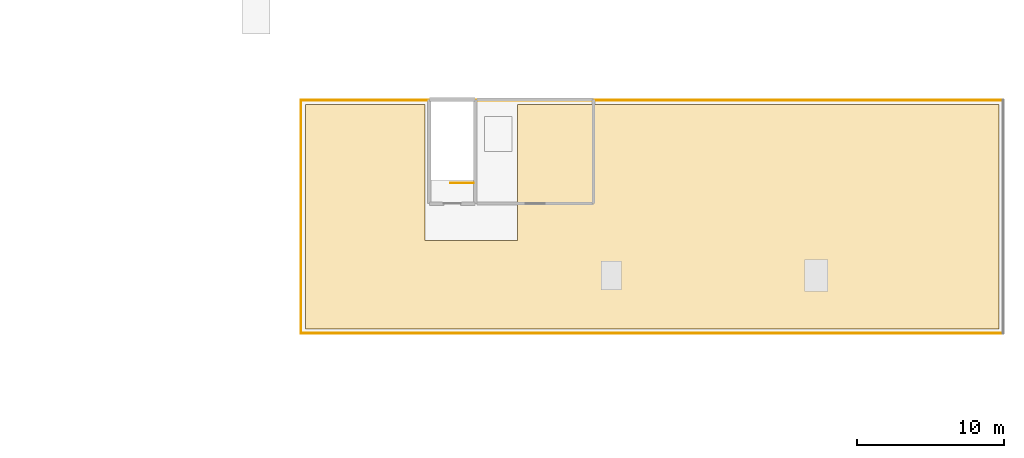
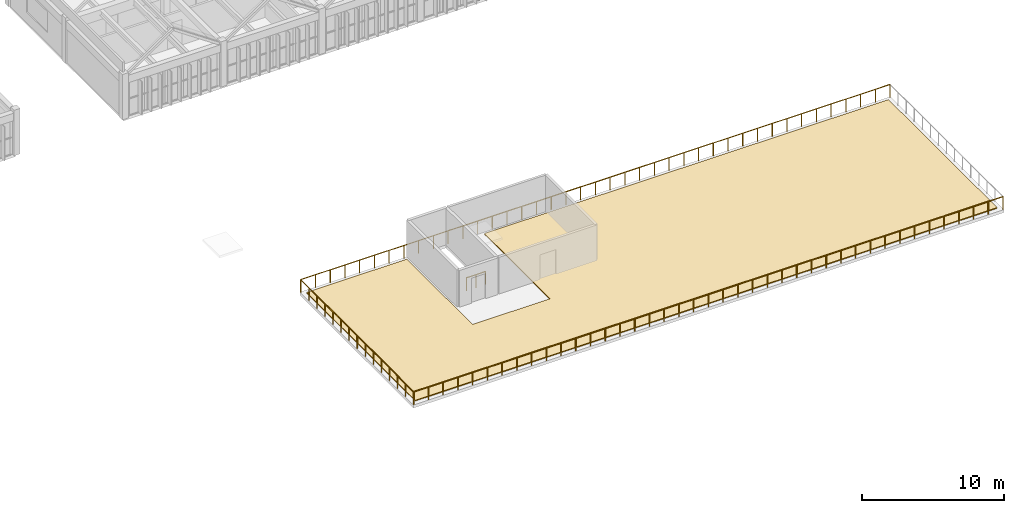
# One storey, part 27 of 31: 4 railings, 1 covering.
"""IFC4 building model written with IfcOpenShell, lengths in metres."""

from ifc_helpers import new_model, si_unit, direction, frame, origin, origin_2d, place, context, subcontext, project, spatial, polyline, circle, outline, extrude, material, layer, layer_set, type_object, element, save


model = new_model("IFC4")

# Units and contexts
model_context = context("Model", 3, precision=1e-05, world=origin(), true_north=direction((0.0, 1.0)))
body_context = subcontext(model_context, "Body", "Model", "MODEL_VIEW")
ifc_project = project(units=[si_unit("LENGTHUNIT", "METRE"), si_unit("AREAUNIT", "SQUARE_METRE"), si_unit("VOLUMEUNIT", "CUBIC_METRE"), si_unit("PLANEANGLEUNIT", "RADIAN"), si_unit("MASSUNIT", "GRAM", prefix="KILO")], contexts=[model_context])

# Site, building, storey
site_placement = place(None, origin())
site = spatial("IfcSite", under=ifc_project, at=site_placement, CompositionType="ELEMENT")
building_placement = place(site_placement, origin())
building = spatial("IfcBuilding", under=site, at=building_placement, Name="Tlaxcora Railside Police Headquarters", CompositionType="ELEMENT")
storey_placement = place(building_placement, frame((0.0, 0.0, 18.0)))
storey = spatial("IfcBuildingStorey", under=building, at=storey_placement, Name="L04", CompositionType="ELEMENT", Elevation=18.0)

# Covering
ifc_material_1 = material(Name="Modified EPDM waterproofing and volcanic-ash protection membrane")
ifc_layer = layer(ifc_material_1, 0.080078125, Name="Modified EPDM waterproofing and volcanic-ash protection membrane")
ifc_layer_set = layer_set([ifc_layer], Name="Modified EPDM waterproofing and volcanic-ash protection membrane")
covering_type = type_object("IfcCoveringType", Name="Planted Roof Garden Waterproofing RF-01", PredefinedType="ROOFING", material=ifc_layer_set)
covering_placement = place(storey_placement, origin())
element("IfcCovering", 1, at=covering_placement, inside=storey, type_object=covering_type, Name="TERR-V7-L04-RG planted waterproofing layer", PredefinedType="ROOFING", context=body_context, shape_type="SweptSolid", body=[
    extrude(outline(polyline([(150.449951171875, 36.35009765625), (103.14990234375, 36.35009765625), (103.14990234375, 51.64990234375), (111.300048828125, 51.64990234375), (111.300048828125, 42.39990234375), (117.60009765625, 42.39990234375), (117.60009765625, 51.64990234375), (150.449951171875, 51.64990234375), (150.449951171875, 36.35009765625)])), origin(), (0.0, 0.0, 1.0), 0.080078125),
])

# Railings
ifc_material_2 = material(Name="Steel ASTM A992 Grade 50", Category="steel")
railing_type_1 = type_object("IfcRailingType", Name="Stair Well Guard Balustrade GR-02", PredefinedType="BALUSTRADE", material=ifc_material_2)
railing_1_placement = place(storey_placement, frame((114.610107421875, 46.31005859375, 0.0)))
element("IfcRailing", 2, at=railing_1_placement, inside=storey, type_object=railing_type_1, Name="L04 ST5 top well guard 1", PredefinedType="BALUSTRADE", context=body_context, shape_type="SweptSolid", body=[
    extrude(circle(Radius=0.02392578125, at=origin_2d()), frame((0.0, 0.0, 1.09619140625), z_axis=(-1.0, 0.0, 0.0), x_axis=(0.0, -1.0, 0.0)), (0.0, 0.0, 1.0), 1.550048828125),
    extrude(circle(Radius=0.02099609375, at=origin_2d()), origin(), (0.0, 0.0, 1.0), 1.072021484375),
    extrude(circle(Radius=0.02099609375, at=origin_2d()), frame((-0.77490234375, 0.0, 0.0)), (0.0, 0.0, 1.0), 1.072021484375),
    extrude(circle(Radius=0.02099609375, at=origin_2d()), frame((-1.550048828125, 0.0, 0.0)), (0.0, 0.0, 1.0), 1.072021484375),
])
railing_type_2 = type_object("IfcRailingType", Name="Terrace Perimeter Guard Balustrade GR-01", PredefinedType="BALUSTRADE", material=ifc_material_2)
railing_2_placement = place(storey_placement, frame((102.85009765625, 36.050048828125, 0.0)))
element("IfcRailing", 3, at=railing_2_placement, inside=storey, type_object=railing_type_2, Name="TERR-V7-L04-RG perimeter guard 1", PredefinedType="BALUSTRADE", context=body_context, shape_type="SweptSolid", body=[
    extrude(circle(Radius=0.02392578125, at=origin_2d()), frame((0.0, 0.0, 1.09619140625), z_axis=(1.0, 0.0, 0.0), x_axis=(0.0, 1.0, 0.0)), (0.0, 0.0, 1.0), 47.89990234375),
    extrude(circle(Radius=0.02099609375, at=origin_2d()), origin(), (0.0, 0.0, 1.0), 1.072021484375),
    extrude(circle(Radius=0.02099609375, at=origin_2d()), frame((1.197509765625, 0.0, 0.0)), (0.0, 0.0, 1.0), 1.072021484375),
    extrude(circle(Radius=0.02099609375, at=origin_2d()), frame((2.39501953125, 0.0, 0.0)), (0.0, 0.0, 1.0), 1.072021484375),
    extrude(circle(Radius=0.02099609375, at=origin_2d()), frame((3.592529296875, 0.0, 0.0)), (0.0, 0.0, 1.0), 1.072021484375),
    extrude(circle(Radius=0.02099609375, at=origin_2d()), frame((4.7900390625, 0.0, 0.0)), (0.0, 0.0, 1.0), 1.072021484375),
    extrude(circle(Radius=0.02099609375, at=origin_2d()), frame((5.987548828125, 0.0, 0.0)), (0.0, 0.0, 1.0), 1.072021484375),
    extrude(circle(Radius=0.02099609375, at=origin_2d()), frame((7.18505859375, 0.0, 0.0)), (0.0, 0.0, 1.0), 1.072021484375),
    extrude(circle(Radius=0.02099609375, at=origin_2d()), frame((8.382568359375, 0.0, 0.0)), (0.0, 0.0, 1.0), 1.072021484375),
    extrude(circle(Radius=0.02099609375, at=origin_2d()), frame((9.580078125, 0.0, 0.0)), (0.0, 0.0, 1.0), 1.072021484375),
    extrude(circle(Radius=0.02099609375, at=origin_2d()), frame((10.777587890625, 0.0, 0.0)), (0.0, 0.0, 1.0), 1.072021484375),
    extrude(circle(Radius=0.02099609375, at=origin_2d()), frame((11.97509765625, 0.0, 0.0)), (0.0, 0.0, 1.0), 1.072021484375),
    extrude(circle(Radius=0.02099609375, at=origin_2d()), frame((13.17236328125, 0.0, 0.0)), (0.0, 0.0, 1.0), 1.072021484375),
    extrude(circle(Radius=0.02099609375, at=origin_2d()), frame((14.369873046875, 0.0, 0.0)), (0.0, 0.0, 1.0), 1.072021484375),
    extrude(circle(Radius=0.02099609375, at=origin_2d()), frame((15.5673828125, 0.0, 0.0)), (0.0, 0.0, 1.0), 1.072021484375),
    extrude(circle(Radius=0.02099609375, at=origin_2d()), frame((16.764892578125, 0.0, 0.0)), (0.0, 0.0, 1.0), 1.072021484375),
    extrude(circle(Radius=0.02099609375, at=origin_2d()), frame((17.96240234375, 0.0, 0.0)), (0.0, 0.0, 1.0), 1.072021484375),
    extrude(circle(Radius=0.02099609375, at=origin_2d()), frame((19.159912109375, 0.0, 0.0)), (0.0, 0.0, 1.0), 1.072021484375),
    extrude(circle(Radius=0.02099609375, at=origin_2d()), frame((20.357421875, 0.0, 0.0)), (0.0, 0.0, 1.0), 1.072021484375),
    extrude(circle(Radius=0.02099609375, at=origin_2d()), frame((21.554931640625, 0.0, 0.0)), (0.0, 0.0, 1.0), 1.072021484375),
    extrude(circle(Radius=0.02099609375, at=origin_2d()), frame((22.75244140625, 0.0, 0.0)), (0.0, 0.0, 1.0), 1.072021484375),
    extrude(circle(Radius=0.02099609375, at=origin_2d()), frame((23.949951171875, 0.0, 0.0)), (0.0, 0.0, 1.0), 1.072021484375),
    extrude(circle(Radius=0.02099609375, at=origin_2d()), frame((25.1474609375, 0.0, 0.0)), (0.0, 0.0, 1.0), 1.072021484375),
    extrude(circle(Radius=0.02099609375, at=origin_2d()), frame((26.344970703125, 0.0, 0.0)), (0.0, 0.0, 1.0), 1.072021484375),
    extrude(circle(Radius=0.02099609375, at=origin_2d()), frame((27.54248046875, 0.0, 0.0)), (0.0, 0.0, 1.0), 1.072021484375),
    extrude(circle(Radius=0.02099609375, at=origin_2d()), frame((28.739990234375, 0.0, 0.0)), (0.0, 0.0, 1.0), 1.072021484375),
    extrude(circle(Radius=0.02099609375, at=origin_2d()), frame((29.9375, 0.0, 0.0)), (0.0, 0.0, 1.0), 1.072021484375),
    extrude(circle(Radius=0.02099609375, at=origin_2d()), frame((31.135009765625, 0.0, 0.0)), (0.0, 0.0, 1.0), 1.072021484375),
    extrude(circle(Radius=0.02099609375, at=origin_2d()), frame((32.33251953125, 0.0, 0.0)), (0.0, 0.0, 1.0), 1.072021484375),
    extrude(circle(Radius=0.02099609375, at=origin_2d()), frame((33.530029296875, 0.0, 0.0)), (0.0, 0.0, 1.0), 1.072021484375),
    extrude(circle(Radius=0.02099609375, at=origin_2d()), frame((34.7275390625, 0.0, 0.0)), (0.0, 0.0, 1.0), 1.072021484375),
    extrude(circle(Radius=0.02099609375, at=origin_2d()), frame((35.9248046875, 0.0, 0.0)), (0.0, 0.0, 1.0), 1.072021484375),
    extrude(circle(Radius=0.02099609375, at=origin_2d()), frame((37.122314453125, 0.0, 0.0)), (0.0, 0.0, 1.0), 1.072021484375),
    extrude(circle(Radius=0.02099609375, at=origin_2d()), frame((38.31982421875, 0.0, 0.0)), (0.0, 0.0, 1.0), 1.072021484375),
    extrude(circle(Radius=0.02099609375, at=origin_2d()), frame((39.517333984375, 0.0, 0.0)), (0.0, 0.0, 1.0), 1.072021484375),
    extrude(circle(Radius=0.02099609375, at=origin_2d()), frame((40.71484375, 0.0, 0.0)), (0.0, 0.0, 1.0), 1.072021484375),
    extrude(circle(Radius=0.02099609375, at=origin_2d()), frame((41.912353515625, 0.0, 0.0)), (0.0, 0.0, 1.0), 1.072021484375),
    extrude(circle(Radius=0.02099609375, at=origin_2d()), frame((43.10986328125, 0.0, 0.0)), (0.0, 0.0, 1.0), 1.072021484375),
    extrude(circle(Radius=0.02099609375, at=origin_2d()), frame((44.307373046875, 0.0, 0.0)), (0.0, 0.0, 1.0), 1.072021484375),
    extrude(circle(Radius=0.02099609375, at=origin_2d()), frame((45.5048828125, 0.0, 0.0)), (0.0, 0.0, 1.0), 1.072021484375),
    extrude(circle(Radius=0.02099609375, at=origin_2d()), frame((46.702392578125, 0.0, 0.0)), (0.0, 0.0, 1.0), 1.072021484375),
    extrude(circle(Radius=0.02099609375, at=origin_2d()), frame((47.89990234375, 0.0, 0.0)), (0.0, 0.0, 1.0), 1.072021484375),
])
railing_3_placement = place(storey_placement, frame((150.75, 51.949951171875, 0.0)))
element("IfcRailing", 4, at=railing_3_placement, inside=storey, type_object=railing_type_2, Name="TERR-V7-L04-RG perimeter guard 3", PredefinedType="BALUSTRADE", context=body_context, shape_type="SweptSolid", body=[
    extrude(circle(Radius=0.02392578125, at=origin_2d()), frame((0.0, 0.0, 1.09619140625), z_axis=(-1.0, 0.0, 0.0), x_axis=(0.0, -1.0, 0.0)), (0.0, 0.0, 1.0), 47.89990234375),
    extrude(circle(Radius=0.02099609375, at=origin_2d()), origin(), (0.0, 0.0, 1.0), 1.072021484375),
    extrude(circle(Radius=0.02099609375, at=origin_2d()), frame((-1.197509765625, 0.0, 0.0)), (0.0, 0.0, 1.0), 1.072021484375),
    extrude(circle(Radius=0.02099609375, at=origin_2d()), frame((-2.39501953125, 0.0, 0.0)), (0.0, 0.0, 1.0), 1.072021484375),
    extrude(circle(Radius=0.02099609375, at=origin_2d()), frame((-3.592529296875, 0.0, 0.0)), (0.0, 0.0, 1.0), 1.072021484375),
    extrude(circle(Radius=0.02099609375, at=origin_2d()), frame((-4.7900390625, 0.0, 0.0)), (0.0, 0.0, 1.0), 1.072021484375),
    extrude(circle(Radius=0.02099609375, at=origin_2d()), frame((-5.987548828125, 0.0, 0.0)), (0.0, 0.0, 1.0), 1.072021484375),
    extrude(circle(Radius=0.02099609375, at=origin_2d()), frame((-7.18505859375, 0.0, 0.0)), (0.0, 0.0, 1.0), 1.072021484375),
    extrude(circle(Radius=0.02099609375, at=origin_2d()), frame((-8.382568359375, 0.0, 0.0)), (0.0, 0.0, 1.0), 1.072021484375),
    extrude(circle(Radius=0.02099609375, at=origin_2d()), frame((-9.580078125, 0.0, 0.0)), (0.0, 0.0, 1.0), 1.072021484375),
    extrude(circle(Radius=0.02099609375, at=origin_2d()), frame((-10.777587890625, 0.0, 0.0)), (0.0, 0.0, 1.0), 1.072021484375),
    extrude(circle(Radius=0.02099609375, at=origin_2d()), frame((-11.97509765625, 0.0, 0.0)), (0.0, 0.0, 1.0), 1.072021484375),
    extrude(circle(Radius=0.02099609375, at=origin_2d()), frame((-13.17236328125, 0.0, 0.0)), (0.0, 0.0, 1.0), 1.072021484375),
    extrude(circle(Radius=0.02099609375, at=origin_2d()), frame((-14.369873046875, 0.0, 0.0)), (0.0, 0.0, 1.0), 1.072021484375),
    extrude(circle(Radius=0.02099609375, at=origin_2d()), frame((-15.5673828125, 0.0, 0.0)), (0.0, 0.0, 1.0), 1.072021484375),
    extrude(circle(Radius=0.02099609375, at=origin_2d()), frame((-16.764892578125, 0.0, 0.0)), (0.0, 0.0, 1.0), 1.072021484375),
    extrude(circle(Radius=0.02099609375, at=origin_2d()), frame((-17.96240234375, 0.0, 0.0)), (0.0, 0.0, 1.0), 1.072021484375),
    extrude(circle(Radius=0.02099609375, at=origin_2d()), frame((-19.159912109375, 0.0, 0.0)), (0.0, 0.0, 1.0), 1.072021484375),
    extrude(circle(Radius=0.02099609375, at=origin_2d()), frame((-20.357421875, 0.0, 0.0)), (0.0, 0.0, 1.0), 1.072021484375),
    extrude(circle(Radius=0.02099609375, at=origin_2d()), frame((-21.554931640625, 0.0, 0.0)), (0.0, 0.0, 1.0), 1.072021484375),
    extrude(circle(Radius=0.02099609375, at=origin_2d()), frame((-22.75244140625, 0.0, 0.0)), (0.0, 0.0, 1.0), 1.072021484375),
    extrude(circle(Radius=0.02099609375, at=origin_2d()), frame((-23.949951171875, 0.0, 0.0)), (0.0, 0.0, 1.0), 1.072021484375),
    extrude(circle(Radius=0.02099609375, at=origin_2d()), frame((-25.1474609375, 0.0, 0.0)), (0.0, 0.0, 1.0), 1.072021484375),
    extrude(circle(Radius=0.02099609375, at=origin_2d()), frame((-26.344970703125, 0.0, 0.0)), (0.0, 0.0, 1.0), 1.072021484375),
    extrude(circle(Radius=0.02099609375, at=origin_2d()), frame((-27.54248046875, 0.0, 0.0)), (0.0, 0.0, 1.0), 1.072021484375),
    extrude(circle(Radius=0.02099609375, at=origin_2d()), frame((-28.739990234375, 0.0, 0.0)), (0.0, 0.0, 1.0), 1.072021484375),
    extrude(circle(Radius=0.02099609375, at=origin_2d()), frame((-29.9375, 0.0, 0.0)), (0.0, 0.0, 1.0), 1.072021484375),
    extrude(circle(Radius=0.02099609375, at=origin_2d()), frame((-31.135009765625, 0.0, 0.0)), (0.0, 0.0, 1.0), 1.072021484375),
    extrude(circle(Radius=0.02099609375, at=origin_2d()), frame((-32.33251953125, 0.0, 0.0)), (0.0, 0.0, 1.0), 1.072021484375),
    extrude(circle(Radius=0.02099609375, at=origin_2d()), frame((-33.530029296875, 0.0, 0.0)), (0.0, 0.0, 1.0), 1.072021484375),
    extrude(circle(Radius=0.02099609375, at=origin_2d()), frame((-34.7275390625, 0.0, 0.0)), (0.0, 0.0, 1.0), 1.072021484375),
    extrude(circle(Radius=0.02099609375, at=origin_2d()), frame((-35.9248046875, 0.0, 0.0)), (0.0, 0.0, 1.0), 1.072021484375),
    extrude(circle(Radius=0.02099609375, at=origin_2d()), frame((-37.122314453125, 0.0, 0.0)), (0.0, 0.0, 1.0), 1.072021484375),
    extrude(circle(Radius=0.02099609375, at=origin_2d()), frame((-38.31982421875, 0.0, 0.0)), (0.0, 0.0, 1.0), 1.072021484375),
    extrude(circle(Radius=0.02099609375, at=origin_2d()), frame((-39.517333984375, 0.0, 0.0)), (0.0, 0.0, 1.0), 1.072021484375),
    extrude(circle(Radius=0.02099609375, at=origin_2d()), frame((-40.71484375, 0.0, 0.0)), (0.0, 0.0, 1.0), 1.072021484375),
    extrude(circle(Radius=0.02099609375, at=origin_2d()), frame((-41.912353515625, 0.0, 0.0)), (0.0, 0.0, 1.0), 1.072021484375),
    extrude(circle(Radius=0.02099609375, at=origin_2d()), frame((-43.10986328125, 0.0, 0.0)), (0.0, 0.0, 1.0), 1.072021484375),
    extrude(circle(Radius=0.02099609375, at=origin_2d()), frame((-44.307373046875, 0.0, 0.0)), (0.0, 0.0, 1.0), 1.072021484375),
    extrude(circle(Radius=0.02099609375, at=origin_2d()), frame((-45.5048828125, 0.0, 0.0)), (0.0, 0.0, 1.0), 1.072021484375),
    extrude(circle(Radius=0.02099609375, at=origin_2d()), frame((-46.702392578125, 0.0, 0.0)), (0.0, 0.0, 1.0), 1.072021484375),
    extrude(circle(Radius=0.02099609375, at=origin_2d()), frame((-47.89990234375, 0.0, 0.0)), (0.0, 0.0, 1.0), 1.072021484375),
])
railing_4_placement = place(storey_placement, frame((102.85009765625, 51.949951171875, 0.0)))
element("IfcRailing", 5, at=railing_4_placement, inside=storey, type_object=railing_type_2, Name="TERR-V7-L04-RG perimeter guard 4", PredefinedType="BALUSTRADE", context=body_context, shape_type="SweptSolid", body=[
    extrude(circle(Radius=0.02392578125, at=origin_2d()), frame((0.0, 0.0, 1.09619140625), z_axis=(0.0, -1.0, 0.0), x_axis=(1.0, 0.0, 0.0)), (0.0, 0.0, 1.0), 15.89990234375),
    extrude(circle(Radius=0.02099609375, at=origin_2d()), origin(), (0.0, 0.0, 1.0), 1.072021484375),
    extrude(circle(Radius=0.02099609375, at=origin_2d()), frame((0.0, -1.1357421875, 0.0)), (0.0, 0.0, 1.0), 1.072021484375),
    extrude(circle(Radius=0.02099609375, at=origin_2d()), frame((0.0, -2.271484375, 0.0)), (0.0, 0.0, 1.0), 1.072021484375),
    extrude(circle(Radius=0.02099609375, at=origin_2d()), frame((0.0, -3.4072265625, 0.0)), (0.0, 0.0, 1.0), 1.072021484375),
    extrude(circle(Radius=0.02099609375, at=origin_2d()), frame((0.0, -4.542724609375, 0.0)), (0.0, 0.0, 1.0), 1.072021484375),
    extrude(circle(Radius=0.02099609375, at=origin_2d()), frame((0.0, -5.678466796875, 0.0)), (0.0, 0.0, 1.0), 1.072021484375),
    extrude(circle(Radius=0.02099609375, at=origin_2d()), frame((0.0, -6.814208984375, 0.0)), (0.0, 0.0, 1.0), 1.072021484375),
    extrude(circle(Radius=0.02099609375, at=origin_2d()), frame((0.0, -7.949951171875, 0.0)), (0.0, 0.0, 1.0), 1.072021484375),
    extrude(circle(Radius=0.02099609375, at=origin_2d()), frame((0.0, -9.085693359375, 0.0)), (0.0, 0.0, 1.0), 1.072021484375),
    extrude(circle(Radius=0.02099609375, at=origin_2d()), frame((0.0, -10.221435546875, 0.0)), (0.0, 0.0, 1.0), 1.072021484375),
    extrude(circle(Radius=0.02099609375, at=origin_2d()), frame((0.0, -11.357177734375, 0.0)), (0.0, 0.0, 1.0), 1.072021484375),
    extrude(circle(Radius=0.02099609375, at=origin_2d()), frame((0.0, -12.49267578125, 0.0)), (0.0, 0.0, 1.0), 1.072021484375),
    extrude(circle(Radius=0.02099609375, at=origin_2d()), frame((0.0, -13.62841796875, 0.0)), (0.0, 0.0, 1.0), 1.072021484375),
    extrude(circle(Radius=0.02099609375, at=origin_2d()), frame((0.0, -14.76416015625, 0.0)), (0.0, 0.0, 1.0), 1.072021484375),
    extrude(circle(Radius=0.02099609375, at=origin_2d()), frame((0.0, -15.89990234375, 0.0)), (0.0, 0.0, 1.0), 1.072021484375),
])

save(model, "model.ifc")
